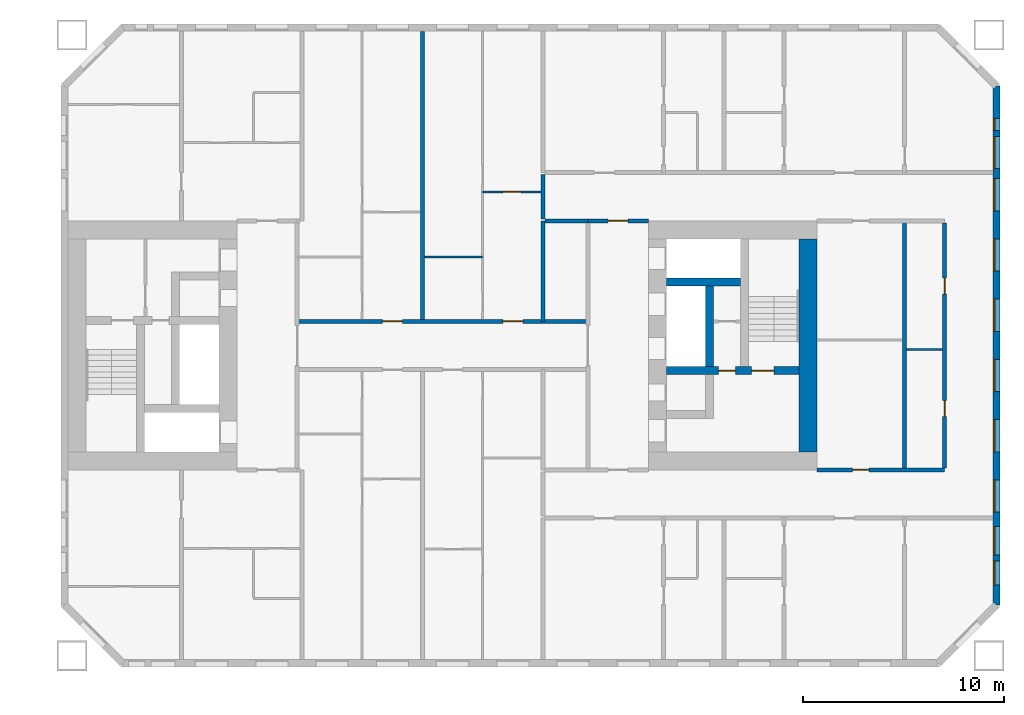
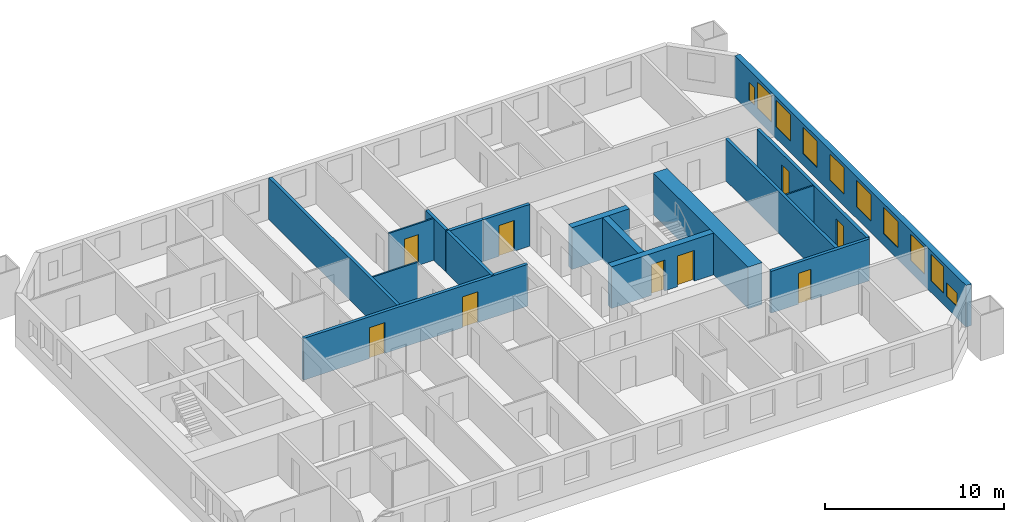
# One storey, part 12 of 16: 17 walls, 10 windows, 9 doors, 19 openings.
"""IFC4 building model written with IfcOpenShell, lengths in metres."""

from ifc_helpers import new_model, si_unit, direction, frame, frame_2d, origin, place, context, subcontext, project, spatial, rectangle, extrude, material, layer, layer_set, type_object, element, fill, save


model = new_model("IFC4")

# Units and contexts
model_context = context("Model", 3, precision=1e-05, world=origin(), true_north=direction((0.0, 1.0)))
body_context = subcontext(model_context, "Body", "Model", "MODEL_VIEW")
ifc_project = project(units=[si_unit("LENGTHUNIT", "METRE"), si_unit("AREAUNIT", "SQUARE_METRE"), si_unit("VOLUMEUNIT", "CUBIC_METRE"), si_unit("PLANEANGLEUNIT", "RADIAN"), si_unit("MASSUNIT", "GRAM", prefix="KILO")], contexts=[model_context])

# Site, building, storey
site_placement = place(None, origin())
site = spatial("IfcSite", under=ifc_project, at=site_placement, CompositionType="ELEMENT")
building_placement = place(site_placement, origin())
building = spatial("IfcBuilding", under=site, at=building_placement, Name="Tuart Gate Housing", CompositionType="ELEMENT")
storey_placement = place(building_placement, frame((0.0, 0.0, 19.5)))
storey = spatial("IfcBuildingStorey", under=building, at=storey_placement, Name="L04", CompositionType="ELEMENT", Elevation=19.5)

# Wall, openings, windows
ifc_material_1 = material(Name="Brick", Category="masonry")
ifc_layer_1 = layer(ifc_material_1, 0.360107421875)
ifc_layer_set_1 = layer_set([ifc_layer_1], Name="Brick pier and spandrel wall 360")
wall_type_1 = type_object("IfcWallType", Name="Brick pier and spandrel wall 360", PredefinedType="STANDARD", material=ifc_layer_set_1)
wall_1_placement = place(storey_placement, frame((177.570068359375, 57.07470703125, 0.0), z_axis=(0.0, 0.0, 1.0), x_axis=(0.0, 1.0, 0.0)))
wall_1 = element("IfcWall", 1, at=wall_1_placement, inside=storey, type_object=wall_type_1, Name="External wall B-E L04", PredefinedType="STANDARD", context=body_context, shape_type="SweptSolid", body=[
    extrude(rectangle(XDim=25.850830078125, YDim=0.360107421875, at=frame_2d((12.92529296875, 0.0))), origin(), (0.0, 0.0, 1.0), 2.85009765625),
])
opening_1_placement = place(wall_1_placement, frame((1.0, 0.0, 0.800048828125)))
opening_1 = element("IfcOpeningElement", 2, at=opening_1_placement, cuts=wall_1, Name="Opening W1T", PredefinedType="OPENING", context=body_context, shape_type="SweptSolid", body=[
    extrude(rectangle(XDim=1.199951171875, YDim=0.89990234375, at=frame_2d((0.60009765625, 0.449951171875))), frame((0.0, 0.18994140625, 0.0), z_axis=(0.0, -1.0, 0.0), x_axis=(1.0, 0.0, 0.0)), (0.0, 0.0, 1.0), 0.380126953125),
])
opening_2_placement = place(wall_1_placement, frame((4.62548828125, 0.0, 0.800048828125)))
opening_2 = element("IfcOpeningElement", 3, at=opening_2_placement, cuts=wall_1, Name="Opening W1", PredefinedType="OPENING", context=body_context, shape_type="SweptSolid", body=[
    extrude(rectangle(XDim=1.60009765625, YDim=1.800048828125, at=frame_2d((0.800048828125, 0.89990234375))), frame((0.0, 0.18994140625, 0.0), z_axis=(0.0, -1.0, 0.0), x_axis=(1.0, 0.0, 0.0)), (0.0, 0.0, 1.0), 0.380126953125),
])
opening_3_placement = place(wall_1_placement, frame((7.62548828125, 0.0, 0.800048828125)))
opening_3 = element("IfcOpeningElement", 4, at=opening_3_placement, cuts=wall_1, Name="Opening W1", PredefinedType="OPENING", context=body_context, shape_type="SweptSolid", body=[
    extrude(rectangle(XDim=1.60009765625, YDim=1.800048828125, at=frame_2d((0.800048828125, 0.89990234375))), frame((0.0, 0.18994140625, 0.0), z_axis=(0.0, -1.0, 0.0), x_axis=(1.0, 0.0, 0.0)), (0.0, 0.0, 1.0), 0.380126953125),
])
opening_4_placement = place(wall_1_placement, frame((10.62548828125, 0.0, 0.800048828125)))
opening_4 = element("IfcOpeningElement", 5, at=opening_4_placement, cuts=wall_1, Name="Opening W1", PredefinedType="OPENING", context=body_context, shape_type="SweptSolid", body=[
    extrude(rectangle(XDim=1.60009765625, YDim=1.800048828125, at=frame_2d((0.800048828125, 0.89990234375))), frame((0.0, 0.18994140625, 0.0), z_axis=(0.0, -1.0, 0.0), x_axis=(1.0, 0.0, 0.0)), (0.0, 0.0, 1.0), 0.380126953125),
])
opening_5_placement = place(wall_1_placement, frame((13.62548828125, 0.0, 0.800048828125)))
opening_5 = element("IfcOpeningElement", 6, at=opening_5_placement, cuts=wall_1, Name="Opening W1", PredefinedType="OPENING", context=body_context, shape_type="SweptSolid", body=[
    extrude(rectangle(XDim=1.60009765625, YDim=1.800048828125, at=frame_2d((0.800048828125, 0.89990234375))), frame((0.0, 0.18994140625, 0.0), z_axis=(0.0, -1.0, 0.0), x_axis=(1.0, 0.0, 0.0)), (0.0, 0.0, 1.0), 0.380126953125),
])
opening_6_placement = place(wall_1_placement, frame((16.62548828125, 0.0, 0.800048828125)))
opening_6 = element("IfcOpeningElement", 7, at=opening_6_placement, cuts=wall_1, Name="Opening W1", PredefinedType="OPENING", context=body_context, shape_type="SweptSolid", body=[
    extrude(rectangle(XDim=1.60009765625, YDim=1.800048828125, at=frame_2d((0.800048828125, 0.89990234375))), frame((0.0, 0.18994140625, 0.0), z_axis=(0.0, -1.0, 0.0), x_axis=(1.0, 0.0, 0.0)), (0.0, 0.0, 1.0), 0.380126953125),
])
opening_7_placement = place(wall_1_placement, frame((19.62548828125, 0.0, 0.800048828125)))
opening_7 = element("IfcOpeningElement", 8, at=opening_7_placement, cuts=wall_1, Name="Opening W1", PredefinedType="OPENING", context=body_context, shape_type="SweptSolid", body=[
    extrude(rectangle(XDim=1.60009765625, YDim=1.800048828125, at=frame_2d((0.800048828125, 0.89990234375))), frame((0.0, 0.18994140625, 0.0), z_axis=(0.0, -1.0, 0.0), x_axis=(1.0, 0.0, 0.0)), (0.0, 0.0, 1.0), 0.380126953125),
])
opening_8_placement = place(wall_1_placement, frame((21.725341796875, 0.0, 0.800048828125)))
opening_8 = element("IfcOpeningElement", 9, at=opening_8_placement, cuts=wall_1, Name="Opening W1", PredefinedType="OPENING", context=body_context, shape_type="SweptSolid", body=[
    extrude(rectangle(XDim=1.60009765625, YDim=1.800048828125, at=frame_2d((0.800048828125, 0.89990234375))), frame((0.0, 0.18994140625, 0.0), z_axis=(0.0, -1.0, 0.0), x_axis=(1.0, 0.0, 0.0)), (0.0, 0.0, 1.0), 0.380126953125),
])
opening_9_placement = place(wall_1_placement, frame((2.5, 0.0, 0.800048828125)))
opening_9 = element("IfcOpeningElement", 10, at=opening_9_placement, cuts=wall_1, Name="Opening W1A", PredefinedType="OPENING", context=body_context, shape_type="SweptSolid", body=[
    extrude(rectangle(XDim=1.39990234375, YDim=1.800048828125, at=frame_2d((0.699951171875, 0.89990234375))), frame((0.0, 0.18994140625, 0.0), z_axis=(0.0, -1.0, 0.0), x_axis=(1.0, 0.0, 0.0)), (0.0, 0.0, 1.0), 0.380126953125),
])
opening_10_placement = place(wall_1_placement, frame((23.62548828125, 0.0, 0.800048828125)))
opening_10 = element("IfcOpeningElement", 11, at=opening_10_placement, cuts=wall_1, Name="Opening W1Q", PredefinedType="OPENING", context=body_context, shape_type="SweptSolid", body=[
    extrude(rectangle(XDim=0.60009765625, YDim=1.199951171875, at=frame_2d((0.300048828125, 0.60009765625))), frame((0.0, 0.18994140625, 0.0), z_axis=(0.0, -1.0, 0.0), x_axis=(1.0, 0.0, 0.0)), (0.0, 0.0, 1.0), 0.380126953125),
])
ifc_material_2 = material(Name="Aluminium frame with clear glass", Category="aluminium")
window_type_1 = type_object("IfcWindowType", Name="Punched window 1200 x 900", PartitioningType="SINGLE_PANEL", PredefinedType="WINDOW", material=ifc_material_2)
window_1_placement = place(opening_1_placement, origin())
window_1 = element("IfcWindow", 12, at=window_1_placement, inside=storey, type_object=window_type_1, Name="Window W1T", OverallHeight=0.89990234375, OverallWidth=1.199951171875, PartitioningType="SINGLE_PANEL", PredefinedType="WINDOW", context=body_context, shape_type="SweptSolid", body=[
    extrude(rectangle(XDim=1.199951171875, YDim=0.89990234375, at=frame_2d((0.60009765625, 0.449951171875))), frame((0.0, 0.150146484375, 0.0), z_axis=(0.0, -1.0, 0.0), x_axis=(1.0, 0.0, 0.0)), (0.0, 0.0, 1.0), 0.06005859375),
])
fill(opening_1, window_1)
ifc_material_3 = material(Name="Aluminium frame with clear glass", Category="aluminium")
window_type_2 = type_object("IfcWindowType", Name="Punched window 1400 x 1800", PartitioningType="SINGLE_PANEL", PredefinedType="WINDOW", material=ifc_material_3)
window_2_placement = place(opening_9_placement, origin())
window_2 = element("IfcWindow", 13, at=window_2_placement, inside=storey, type_object=window_type_2, Name="Window W1A", OverallHeight=1.800048828125, OverallWidth=1.39990234375, PartitioningType="SINGLE_PANEL", PredefinedType="WINDOW", context=body_context, shape_type="SweptSolid", body=[
    extrude(rectangle(XDim=1.39990234375, YDim=1.800048828125, at=frame_2d((0.699951171875, 0.89990234375))), frame((0.0, 0.150146484375, 0.0), z_axis=(0.0, -1.0, 0.0), x_axis=(1.0, 0.0, 0.0)), (0.0, 0.0, 1.0), 0.06005859375),
])
fill(opening_9, window_2)
ifc_material_4 = material(Name="Aluminium frame with clear glass", Category="aluminium")
window_type_3 = type_object("IfcWindowType", Name="Punched window 1600 x 1800", PartitioningType="SINGLE_PANEL", PredefinedType="WINDOW", material=ifc_material_4)
window_3_placement = place(opening_2_placement, origin())
window_3 = element("IfcWindow", 14, at=window_3_placement, inside=storey, type_object=window_type_3, Name="Window W1", OverallHeight=1.800048828125, OverallWidth=1.60009765625, PartitioningType="SINGLE_PANEL", PredefinedType="WINDOW", context=body_context, shape_type="SweptSolid", body=[
    extrude(rectangle(XDim=1.60009765625, YDim=1.800048828125, at=frame_2d((0.800048828125, 0.89990234375))), frame((0.0, 0.150146484375, 0.0), z_axis=(0.0, -1.0, 0.0), x_axis=(1.0, 0.0, 0.0)), (0.0, 0.0, 1.0), 0.06005859375),
])
fill(opening_2, window_3)
window_4_placement = place(opening_3_placement, origin())
window_4 = element("IfcWindow", 15, at=window_4_placement, inside=storey, type_object=window_type_3, Name="Window W1", OverallHeight=1.800048828125, OverallWidth=1.60009765625, PartitioningType="SINGLE_PANEL", PredefinedType="WINDOW", context=body_context, shape_type="SweptSolid", body=[
    extrude(rectangle(XDim=1.60009765625, YDim=1.800048828125, at=frame_2d((0.800048828125, 0.89990234375))), frame((0.0, 0.150146484375, 0.0), z_axis=(0.0, -1.0, 0.0), x_axis=(1.0, 0.0, 0.0)), (0.0, 0.0, 1.0), 0.06005859375),
])
fill(opening_3, window_4)
window_5_placement = place(opening_4_placement, origin())
window_5 = element("IfcWindow", 16, at=window_5_placement, inside=storey, type_object=window_type_3, Name="Window W1", OverallHeight=1.800048828125, OverallWidth=1.60009765625, PartitioningType="SINGLE_PANEL", PredefinedType="WINDOW", context=body_context, shape_type="SweptSolid", body=[
    extrude(rectangle(XDim=1.60009765625, YDim=1.800048828125, at=frame_2d((0.800048828125, 0.89990234375))), frame((0.0, 0.150146484375, 0.0), z_axis=(0.0, -1.0, 0.0), x_axis=(1.0, 0.0, 0.0)), (0.0, 0.0, 1.0), 0.06005859375),
])
fill(opening_4, window_5)
window_6_placement = place(opening_5_placement, origin())
window_6 = element("IfcWindow", 17, at=window_6_placement, inside=storey, type_object=window_type_3, Name="Window W1", OverallHeight=1.800048828125, OverallWidth=1.60009765625, PartitioningType="SINGLE_PANEL", PredefinedType="WINDOW", context=body_context, shape_type="SweptSolid", body=[
    extrude(rectangle(XDim=1.60009765625, YDim=1.800048828125, at=frame_2d((0.800048828125, 0.89990234375))), frame((0.0, 0.150146484375, 0.0), z_axis=(0.0, -1.0, 0.0), x_axis=(1.0, 0.0, 0.0)), (0.0, 0.0, 1.0), 0.06005859375),
])
fill(opening_5, window_6)
window_7_placement = place(opening_6_placement, origin())
window_7 = element("IfcWindow", 18, at=window_7_placement, inside=storey, type_object=window_type_3, Name="Window W1", OverallHeight=1.800048828125, OverallWidth=1.60009765625, PartitioningType="SINGLE_PANEL", PredefinedType="WINDOW", context=body_context, shape_type="SweptSolid", body=[
    extrude(rectangle(XDim=1.60009765625, YDim=1.800048828125, at=frame_2d((0.800048828125, 0.89990234375))), frame((0.0, 0.150146484375, 0.0), z_axis=(0.0, -1.0, 0.0), x_axis=(1.0, 0.0, 0.0)), (0.0, 0.0, 1.0), 0.06005859375),
])
fill(opening_6, window_7)
window_8_placement = place(opening_7_placement, origin())
window_8 = element("IfcWindow", 19, at=window_8_placement, inside=storey, type_object=window_type_3, Name="Window W1", OverallHeight=1.800048828125, OverallWidth=1.60009765625, PartitioningType="SINGLE_PANEL", PredefinedType="WINDOW", context=body_context, shape_type="SweptSolid", body=[
    extrude(rectangle(XDim=1.60009765625, YDim=1.800048828125, at=frame_2d((0.800048828125, 0.89990234375))), frame((0.0, 0.150146484375, 0.0), z_axis=(0.0, -1.0, 0.0), x_axis=(1.0, 0.0, 0.0)), (0.0, 0.0, 1.0), 0.06005859375),
])
fill(opening_7, window_8)
window_9_placement = place(opening_8_placement, origin())
window_9 = element("IfcWindow", 20, at=window_9_placement, inside=storey, type_object=window_type_3, Name="Window W1", OverallHeight=1.800048828125, OverallWidth=1.60009765625, PartitioningType="SINGLE_PANEL", PredefinedType="WINDOW", context=body_context, shape_type="SweptSolid", body=[
    extrude(rectangle(XDim=1.60009765625, YDim=1.800048828125, at=frame_2d((0.800048828125, 0.89990234375))), frame((0.0, 0.150146484375, 0.0), z_axis=(0.0, -1.0, 0.0), x_axis=(1.0, 0.0, 0.0)), (0.0, 0.0, 1.0), 0.06005859375),
])
fill(opening_8, window_9)
ifc_material_5 = material(Name="Aluminium frame with clear glass", Category="aluminium")
window_type_4 = type_object("IfcWindowType", Name="Punched window 600 x 1200", PartitioningType="SINGLE_PANEL", PredefinedType="WINDOW", material=ifc_material_5)
window_10_placement = place(opening_10_placement, origin())
window_10 = element("IfcWindow", 21, at=window_10_placement, inside=storey, type_object=window_type_4, Name="Window W1Q", OverallHeight=1.199951171875, OverallWidth=0.60009765625, PartitioningType="SINGLE_PANEL", PredefinedType="WINDOW", context=body_context, shape_type="SweptSolid", body=[
    extrude(rectangle(XDim=0.60009765625, YDim=1.199951171875, at=frame_2d((0.300048828125, 0.60009765625))), frame((0.0, 0.150146484375, 0.0), z_axis=(0.0, -1.0, 0.0), x_axis=(1.0, 0.0, 0.0)), (0.0, 0.0, 1.0), 0.06005859375),
])
fill(opening_10, window_10)

# Wall
ifc_material_6 = material(Name="Concrete C60", Category="concrete")
ifc_layer_2 = layer(ifc_material_6, 0.39990234375)
ifc_layer_set_2 = layer_set([ifc_layer_2], Name="Core wall 400 C60")
wall_type_2 = type_object("IfcWallType", Name="Core wall 400 C60", PredefinedType="SHEAR", material=ifc_layer_set_2)
wall_2_placement = place(storey_placement, frame((161.139892578125, 73.14990234375, 0.0), z_axis=(0.0, 0.0, 1.0), x_axis=(1.0, 0.0, 0.0)))
element("IfcWall", 22, at=wall_2_placement, inside=storey, type_object=wall_type_2, Name="Core wall BK.1", PredefinedType="SHEAR", context=body_context, shape_type="SweptSolid", body=[
    extrude(rectangle(XDim=3.7001953125, YDim=0.39990234375, at=frame_2d((1.85009765625, 0.0))), origin(), (0.0, 0.0, 1.0), 2.85009765625),
])

# Wall, openings, doors
wall_3_placement = place(storey_placement, frame((161.139892578125, 68.75, 0.0), z_axis=(0.0, 0.0, 1.0), x_axis=(1.0, 0.0, 0.0)))
wall_3 = element("IfcWall", 23, at=wall_3_placement, inside=storey, type_object=wall_type_2, Name="Core wall BK.3", PredefinedType="SHEAR", context=body_context, shape_type="SweptSolid", body=[
    extrude(rectangle(XDim=6.60009765625, YDim=0.39990234375, at=frame_2d((3.300048828125, 0.0))), origin(), (0.0, 0.0, 1.0), 2.85009765625),
])
opening_11_placement = place(wall_3_placement, frame((4.25, 0.0, 0.0)))
opening_11 = element("IfcOpeningElement", 24, at=opening_11_placement, cuts=wall_3, Name="Opening D446", PredefinedType="OPENING", context=body_context, shape_type="SweptSolid", body=[
    extrude(rectangle(XDim=1.10009765625, YDim=2.10009765625, at=frame_2d((0.550048828125, 1.050048828125))), frame((0.0, 0.2099609375, 0.0), z_axis=(0.0, -1.0, 0.0), x_axis=(1.0, 0.0, 0.0)), (0.0, 0.0, 1.0), 0.419921875),
])
opening_12_placement = place(wall_3_placement, frame((2.60009765625, 0.0, 0.0)))
opening_12 = element("IfcOpeningElement", 25, at=opening_12_placement, cuts=wall_3, Name="Opening D445", PredefinedType="OPENING", context=body_context, shape_type="SweptSolid", body=[
    extrude(rectangle(XDim=0.85009765625, YDim=2.10009765625, at=frame_2d((0.425048828125, 1.050048828125))), frame((0.0, 0.2099609375, 0.0), z_axis=(0.0, -1.0, 0.0), x_axis=(1.0, 0.0, 0.0)), (0.0, 0.0, 1.0), 0.419921875),
])
ifc_material_7 = material(Name="Steel fire door", Category="steel")
door_type_1 = type_object("IfcDoorType", Name="Riser door 850 x 2100", OperationType="SINGLE_SWING_LEFT", PredefinedType="DOOR", material=ifc_material_7)
door_1_placement = place(opening_12_placement, origin())
door_1 = element("IfcDoor", 26, at=door_1_placement, inside=storey, type_object=door_type_1, Name="Service room door BK.W1", OperationType="SINGLE_SWING_LEFT", OverallHeight=2.10009765625, OverallWidth=0.85009765625, PredefinedType="DOOR", context=body_context, shape_type="SweptSolid", body=[
    extrude(rectangle(XDim=0.85009765625, YDim=2.10009765625, at=frame_2d((0.425048828125, 1.050048828125))), frame((0.0, 0.02490234375, 0.0), z_axis=(0.0, -1.0, 0.0), x_axis=(1.0, 0.0, 0.0)), (0.0, 0.0, 1.0), 0.050048828125),
])
fill(opening_12, door_1)
ifc_material_8 = material(Name="Steel fire door", Category="steel")
door_type_2 = type_object("IfcDoorType", Name="Stair door 1100 x 2100", OperationType="SINGLE_SWING_LEFT", PredefinedType="DOOR", material=ifc_material_8)
door_2_placement = place(opening_11_placement, origin())
door_2 = element("IfcDoor", 27, at=door_2_placement, inside=storey, type_object=door_type_2, Name="Stair door BK.SD", OperationType="SINGLE_SWING_LEFT", OverallHeight=2.10009765625, OverallWidth=1.10009765625, PredefinedType="DOOR", context=body_context, shape_type="SweptSolid", body=[
    extrude(rectangle(XDim=1.10009765625, YDim=2.10009765625, at=frame_2d((0.550048828125, 1.050048828125))), frame((0.0, 0.02490234375, 0.0), z_axis=(0.0, -1.0, 0.0), x_axis=(1.0, 0.0, 0.0)), (0.0, 0.0, 1.0), 0.050048828125),
])
fill(opening_11, door_2)

# Walls
wall_4_placement = place(storey_placement, frame((163.2900390625, 72.949951171875, 0.0), z_axis=(0.0, 0.0, 1.0), x_axis=(0.0, -1.0, 0.0)))
element("IfcWall", 28, at=wall_4_placement, inside=storey, type_object=wall_type_2, Name="Core wall BK.5", PredefinedType="SHEAR", context=body_context, shape_type="SweptSolid", body=[
    extrude(rectangle(XDim=4.0, YDim=0.39990234375, at=frame_2d((2.0, 0.0))), origin(), (0.0, 0.0, 1.0), 2.85009765625),
])
ifc_material_9 = material(Name="Concrete C60", Category="concrete")
ifc_layer_3 = layer(ifc_material_9, 0.89990234375)
ifc_layer_set_3 = layer_set([ifc_layer_3], Name="Core wall 900 C60")
wall_type_3 = type_object("IfcWallType", Name="Core wall 900 C60", PredefinedType="SHEAR", material=ifc_layer_set_3)
wall_5_placement = place(storey_placement, frame((168.18994140625, 75.300048828125, 0.0), z_axis=(0.0, 0.0, 1.0), x_axis=(0.0, -1.0, 0.0)))
element("IfcWall", 29, at=wall_5_placement, inside=storey, type_object=wall_type_3, Name="Core wall BK back", PredefinedType="SHEAR", context=body_context, shape_type="SweptSolid", body=[
    extrude(rectangle(XDim=10.60009765625, YDim=0.89990234375, at=frame_2d((5.300048828125, 0.0))), origin(), (0.0, 0.0, 1.0), 2.85009765625),
])

# Wall, opening, door
ifc_material_10 = material(Name="Concrete masonry 15 MPa", Category="masonry")
ifc_layer_4 = layer(ifc_material_10, 0.199951171875)
ifc_layer_set_4 = layer_set([ifc_layer_4], Name="Corridor wall masonry 200")
wall_type_4 = type_object("IfcWallType", Name="Corridor wall masonry 200", PredefinedType="PARTITIONING", material=ifc_layer_set_4)
wall_6_placement = place(storey_placement, frame((168.639892578125, 63.800048828125, 0.0), z_axis=(0.0, 0.0, 1.0), x_axis=(1.0, 0.0, 0.0)))
wall_6 = element("IfcWall", 30, at=wall_6_placement, inside=storey, type_object=wall_type_4, Name="Corridor wall masonry 200", PredefinedType="PARTITIONING", context=body_context, shape_type="SweptSolid", body=[
    extrude(rectangle(XDim=6.35009765625, YDim=0.199951171875, at=frame_2d((3.175048828125, 0.0))), origin(), (0.0, 0.0, 1.0), 2.85009765625),
])
opening_13_placement = place(wall_6_placement, frame((1.780029296875, 0.0, 0.0)))
opening_13 = element("IfcOpeningElement", 31, at=opening_13_placement, cuts=wall_6, Name="Opening D449", PredefinedType="OPENING", context=body_context, shape_type="SweptSolid", body=[
    extrude(rectangle(XDim=0.800048828125, YDim=2.10009765625, at=frame_2d((0.39990234375, 1.050048828125))), frame((0.0, 0.10986328125, 0.0), z_axis=(0.0, -1.0, 0.0), x_axis=(1.0, 0.0, 0.0)), (0.0, 0.0, 1.0), 0.219970703125),
])
ifc_material_11 = material(Name="Timber door leaf in steel frame", Category="steel")
door_type_3 = type_object("IfcDoorType", Name="Store door 800", OperationType="SINGLE_SWING_LEFT", PredefinedType="DOOR", material=ifc_material_11)
door_3_placement = place(opening_13_placement, origin())
door_3 = element("IfcDoor", 32, at=door_3_placement, inside=storey, type_object=door_type_3, Name="Store door", OperationType="SINGLE_SWING_LEFT", OverallHeight=2.10009765625, OverallWidth=0.800048828125, PredefinedType="DOOR", context=body_context, shape_type="SweptSolid", body=[
    extrude(rectangle(XDim=0.800048828125, YDim=2.10009765625, at=frame_2d((0.39990234375, 1.050048828125))), frame((0.0, 0.02490234375, 0.0), z_axis=(0.0, -1.0, 0.0), x_axis=(1.0, 0.0, 0.0)), (0.0, 0.0, 1.0), 0.050048828125),
])
fill(opening_13, door_3)

# Wall, openings, doors
wall_7_placement = place(storey_placement, frame((142.760009765625, 71.199951171875, 0.0), z_axis=(0.0, 0.0, 1.0), x_axis=(1.0, 0.0, 0.0)))
wall_7 = element("IfcWall", 33, at=wall_7_placement, inside=storey, type_object=wall_type_4, Name="Corridor wall masonry 200", PredefinedType="PARTITIONING", context=body_context, shape_type="SweptSolid", body=[
    extrude(rectangle(XDim=14.47998046875, YDim=0.199951171875, at=frame_2d((7.239990234375, 0.0))), origin(), (0.0, 0.0, 1.0), 2.85009765625),
])
opening_14_placement = place(wall_7_placement, frame((4.239990234375, 0.0, 0.0)))
opening_14 = element("IfcOpeningElement", 34, at=opening_14_placement, cuts=wall_7, Name="Opening D432", PredefinedType="OPENING", context=body_context, shape_type="SweptSolid", body=[
    extrude(rectangle(XDim=1.0, YDim=2.10009765625, at=frame_2d((0.5, 1.050048828125))), frame((0.0, 0.10986328125, 0.0), z_axis=(0.0, -1.0, 0.0), x_axis=(1.0, 0.0, 0.0)), (0.0, 0.0, 1.0), 0.219970703125),
])
opening_15_placement = place(wall_7_placement, frame((10.239990234375, 0.0, 0.0)))
opening_15 = element("IfcOpeningElement", 35, at=opening_15_placement, cuts=wall_7, Name="Opening D433", PredefinedType="OPENING", context=body_context, shape_type="SweptSolid", body=[
    extrude(rectangle(XDim=1.0, YDim=2.10009765625, at=frame_2d((0.5, 1.050048828125))), frame((0.0, 0.10986328125, 0.0), z_axis=(0.0, -1.0, 0.0), x_axis=(1.0, 0.0, 0.0)), (0.0, 0.0, 1.0), 0.219970703125),
])
ifc_material_12 = material(Name="Timber door leaf in steel frame", Category="steel")
door_type_4 = type_object("IfcDoorType", Name="Flat entrance door 1000", OperationType="SINGLE_SWING_LEFT", PredefinedType="DOOR", material=ifc_material_12)
door_4_placement = place(opening_14_placement, origin())
door_4 = element("IfcDoor", 36, at=door_4_placement, inside=storey, type_object=door_type_4, Name="Flat entrance door", OperationType="SINGLE_SWING_LEFT", OverallHeight=2.10009765625, OverallWidth=1.0, PredefinedType="DOOR", context=body_context, shape_type="SweptSolid", body=[
    extrude(rectangle(XDim=1.0, YDim=2.10009765625, at=frame_2d((0.5, 1.050048828125))), frame((0.0, 0.02490234375, 0.0), z_axis=(0.0, -1.0, 0.0), x_axis=(1.0, 0.0, 0.0)), (0.0, 0.0, 1.0), 0.050048828125),
])
fill(opening_14, door_4)
door_5_placement = place(opening_15_placement, origin())
door_5 = element("IfcDoor", 37, at=door_5_placement, inside=storey, type_object=door_type_4, Name="Flat entrance door", OperationType="SINGLE_SWING_LEFT", OverallHeight=2.10009765625, OverallWidth=1.0, PredefinedType="DOOR", context=body_context, shape_type="SweptSolid", body=[
    extrude(rectangle(XDim=1.0, YDim=2.10009765625, at=frame_2d((0.5, 1.050048828125))), frame((0.0, 0.02490234375, 0.0), z_axis=(0.0, -1.0, 0.0), x_axis=(1.0, 0.0, 0.0)), (0.0, 0.0, 1.0), 0.050048828125),
])
fill(opening_15, door_5)

# Walls
wall_8_placement = place(storey_placement, frame((155.10009765625, 76.199951171875, 0.0), z_axis=(0.0, 0.0, 1.0), x_axis=(1.0, 0.0, 0.0)))
element("IfcWall", 38, at=wall_8_placement, inside=storey, type_object=wall_type_4, Name="Corridor wall masonry 200", PredefinedType="PARTITIONING", context=body_context, shape_type="SweptSolid", body=[
    extrude(rectangle(XDim=2.139892578125, YDim=0.199951171875, at=frame_2d((1.06982421875, 0.0))), origin(), (0.0, 0.0, 1.0), 2.85009765625),
])
wall_9_placement = place(storey_placement, frame((155.0, 76.300048828125, 0.0), z_axis=(0.0, 0.0, 1.0), x_axis=(0.0, 1.0, 0.0)))
element("IfcWall", 39, at=wall_9_placement, inside=storey, type_object=wall_type_4, Name="Corridor wall masonry 200", PredefinedType="PARTITIONING", context=body_context, shape_type="SweptSolid", body=[
    extrude(rectangle(XDim=2.199951171875, YDim=0.199951171875, at=frame_2d((1.10009765625, 0.0))), origin(), (0.0, 0.0, 1.0), 2.85009765625),
])

# Wall, openings, doors
wall_10_placement = place(storey_placement, frame((174.989990234375, 63.89990234375, 0.0), z_axis=(0.0, 0.0, 1.0), x_axis=(0.0, 1.0, 0.0)))
wall_10 = element("IfcWall", 40, at=wall_10_placement, inside=storey, type_object=wall_type_4, Name="Corridor wall masonry 200", PredefinedType="PARTITIONING", context=body_context, shape_type="SweptSolid", body=[
    extrude(rectangle(XDim=12.2001953125, YDim=0.199951171875, at=frame_2d((6.10009765625, 0.0))), origin(), (0.0, 0.0, 1.0), 2.85009765625),
])
opening_16_placement = place(wall_10_placement, frame((2.550048828125, 0.0, 0.0)))
opening_16 = element("IfcOpeningElement", 41, at=opening_16_placement, cuts=wall_10, Name="Opening D441", PredefinedType="OPENING", context=body_context, shape_type="SweptSolid", body=[
    extrude(rectangle(XDim=0.800048828125, YDim=2.10009765625, at=frame_2d((0.39990234375, 1.050048828125))), frame((0.0, 0.10986328125, 0.0), z_axis=(0.0, -1.0, 0.0), x_axis=(1.0, 0.0, 0.0)), (0.0, 0.0, 1.0), 0.219970703125),
])
opening_17_placement = place(wall_10_placement, frame((8.64990234375, 0.0, 0.0)))
opening_17 = element("IfcOpeningElement", 42, at=opening_17_placement, cuts=wall_10, Name="Opening D442", PredefinedType="OPENING", context=body_context, shape_type="SweptSolid", body=[
    extrude(rectangle(XDim=0.800048828125, YDim=2.10009765625, at=frame_2d((0.39990234375, 1.050048828125))), frame((0.0, 0.10986328125, 0.0), z_axis=(0.0, -1.0, 0.0), x_axis=(1.0, 0.0, 0.0)), (0.0, 0.0, 1.0), 0.219970703125),
])
door_6_placement = place(opening_17_placement, origin())
door_6 = element("IfcDoor", 43, at=door_6_placement, inside=storey, type_object=door_type_3, Name="Store door", OperationType="SINGLE_SWING_LEFT", OverallHeight=2.10009765625, OverallWidth=0.800048828125, PredefinedType="DOOR", context=body_context, shape_type="SweptSolid", body=[
    extrude(rectangle(XDim=0.800048828125, YDim=2.10009765625, at=frame_2d((0.39990234375, 1.050048828125))), frame((0.0, 0.02490234375, 0.0), z_axis=(0.0, -1.0, 0.0), x_axis=(1.0, 0.0, 0.0)), (0.0, 0.0, 1.0), 0.050048828125),
])
fill(opening_17, door_6)
ifc_material_13 = material(Name="Timber door leaf in steel frame", Category="steel")
door_type_5 = type_object("IfcDoorType", Name="Store door 800 RH", OperationType="SINGLE_SWING_RIGHT", PredefinedType="DOOR", material=ifc_material_13)
door_7_placement = place(opening_16_placement, origin())
door_7 = element("IfcDoor", 44, at=door_7_placement, inside=storey, type_object=door_type_5, Name="Store door", OperationType="SINGLE_SWING_RIGHT", OverallHeight=2.10009765625, OverallWidth=0.800048828125, PredefinedType="DOOR", context=body_context, shape_type="SweptSolid", body=[
    extrude(rectangle(XDim=0.800048828125, YDim=2.10009765625, at=frame_2d((0.39990234375, 1.050048828125))), frame((0.0, 0.02490234375, 0.0), z_axis=(0.0, -1.0, 0.0), x_axis=(1.0, 0.0, 0.0)), (0.0, 0.0, 1.0), 0.050048828125),
])
fill(opening_16, door_7)

# Wall, opening, door
ifc_material_14 = material(Name="Concrete masonry 15 MPa", Category="masonry")
ifc_layer_5 = layer(ifc_material_14, 0.199951171875)
ifc_layer_set_5 = layer_set([ifc_layer_5], Name="Enclosure wall masonry 200")
wall_type_5 = type_object("IfcWallType", Name="Enclosure wall masonry 200", PredefinedType="PARTITIONING", material=ifc_layer_set_5)
wall_11_placement = place(storey_placement, frame((157.239990234375, 76.199951171875, 0.0), z_axis=(0.0, 0.0, 1.0), x_axis=(1.0, 0.0, 0.0)))
wall_11 = element("IfcWall", 45, at=wall_11_placement, inside=storey, type_object=wall_type_5, Name="Enclosure wall masonry 200", PredefinedType="PARTITIONING", context=body_context, shape_type="SweptSolid", body=[
    extrude(rectangle(XDim=3.0, YDim=0.199951171875, at=frame_2d((1.5, 0.0))), origin(), (0.0, 0.0, 1.0), 2.85009765625),
])
opening_18_placement = place(wall_11_placement, frame((1.0, 0.0, 0.0)))
opening_18 = element("IfcOpeningElement", 46, at=opening_18_placement, cuts=wall_11, Name="Opening D427", PredefinedType="OPENING", context=body_context, shape_type="SweptSolid", body=[
    extrude(rectangle(XDim=1.0, YDim=2.10009765625, at=frame_2d((0.5, 1.050048828125))), frame((0.0, 0.10986328125, 0.0), z_axis=(0.0, -1.0, 0.0), x_axis=(1.0, 0.0, 0.0)), (0.0, 0.0, 1.0), 0.219970703125),
])
ifc_material_15 = material(Name="Timber door leaf in steel frame", Category="steel")
door_type_6 = type_object("IfcDoorType", Name="Fire door 1000", OperationType="SINGLE_SWING_LEFT", PredefinedType="DOOR", material=ifc_material_15)
door_8_placement = place(opening_18_placement, origin())
door_8 = element("IfcDoor", 47, at=door_8_placement, inside=storey, type_object=door_type_6, Name="Fire door", OperationType="SINGLE_SWING_LEFT", OverallHeight=2.10009765625, OverallWidth=1.0, PredefinedType="DOOR", context=body_context, shape_type="SweptSolid", body=[
    extrude(rectangle(XDim=1.0, YDim=2.10009765625, at=frame_2d((0.5, 1.050048828125))), frame((0.0, 0.02490234375, 0.0), z_axis=(0.0, -1.0, 0.0), x_axis=(1.0, 0.0, 0.0)), (0.0, 0.0, 1.0), 0.050048828125),
])
fill(opening_18, door_8)

# Walls
ifc_material_16 = material(Name="Gypsum board on steel studs", Category="steel")
ifc_layer_6 = layer(ifc_material_16, 0.10009765625)
ifc_layer_set_6 = layer_set([ifc_layer_6], Name="Partition 100")
wall_type_6 = type_object("IfcWallType", Name="Partition 100", PredefinedType="PARTITIONING", material=ifc_layer_set_6)
wall_12_placement = place(storey_placement, frame((173.10009765625, 69.800048828125, 0.0), z_axis=(0.0, 0.0, 1.0), x_axis=(1.0, 0.0, 0.0)))
element("IfcWall", 48, at=wall_12_placement, inside=storey, type_object=wall_type_6, Name="Partition 100", PredefinedType="PARTITIONING", context=body_context, shape_type="SweptSolid", body=[
    extrude(rectangle(XDim=1.789794921875, YDim=0.10009765625, at=frame_2d((0.89501953125, 0.0))), origin(), (0.0, 0.0, 1.0), 2.85009765625),
])
wall_13_placement = place(storey_placement, frame((149.10009765625, 74.39990234375, 0.0), z_axis=(0.0, 0.0, 1.0), x_axis=(1.0, 0.0, 0.0)))
element("IfcWall", 49, at=wall_13_placement, inside=storey, type_object=wall_type_6, Name="Partition 100", PredefinedType="PARTITIONING", context=body_context, shape_type="SweptSolid", body=[
    extrude(rectangle(XDim=2.89990234375, YDim=0.10009765625, at=frame_2d((1.449951171875, 0.0))), origin(), (0.0, 0.0, 1.0), 2.85009765625),
])

# Wall, opening, door
wall_14_placement = place(storey_placement, frame((152.0, 77.639892578125, 0.0), z_axis=(0.0, 0.0, 1.0), x_axis=(1.0, 0.0, 0.0)))
wall_14 = element("IfcWall", 50, at=wall_14_placement, inside=storey, type_object=wall_type_6, Name="Partition 100", PredefinedType="PARTITIONING", context=body_context, shape_type="SweptSolid", body=[
    extrude(rectangle(XDim=2.89990234375, YDim=0.10009765625, at=frame_2d((1.449951171875, 0.0))), origin(), (0.0, 0.0, 1.0), 2.85009765625),
])
opening_19_placement = place(wall_14_placement, frame((1.0, 0.0, 0.0)))
opening_19 = element("IfcOpeningElement", 51, at=opening_19_placement, cuts=wall_14, Name="Opening D424", PredefinedType="OPENING", context=body_context, shape_type="SweptSolid", body=[
    extrude(rectangle(XDim=0.89990234375, YDim=2.10009765625, at=frame_2d((0.449951171875, 1.050048828125))), frame((0.0, 0.06005859375, 0.0), z_axis=(0.0, -1.0, 0.0), x_axis=(1.0, 0.0, 0.0)), (0.0, 0.0, 1.0), 0.1201171875),
])
ifc_material_17 = material(Name="Timber door leaf in steel frame", Category="steel")
door_type_7 = type_object("IfcDoorType", Name="Internal door 900 RH", OperationType="SINGLE_SWING_RIGHT", PredefinedType="DOOR", material=ifc_material_17)
door_9_placement = place(opening_19_placement, frame((0.89990234375, 0.0, 0.0), z_axis=(0.0, 0.0, 1.0), x_axis=(-1.0, 0.0, 0.0)))
door_9 = element("IfcDoor", 52, at=door_9_placement, inside=storey, type_object=door_type_7, Name="Internal door", OperationType="SINGLE_SWING_RIGHT", OverallHeight=2.10009765625, OverallWidth=0.89990234375, PredefinedType="DOOR", context=body_context, shape_type="SweptSolid", body=[
    extrude(rectangle(XDim=0.89990234375, YDim=2.10009765625, at=frame_2d((0.449951171875, 1.050048828125))), frame((0.0, 0.025146484375, 0.0), z_axis=(0.0, -1.0, 0.0), x_axis=(1.0, 0.0, 0.0)), (0.0, 0.0, 1.0), 0.050048828125),
])
fill(opening_19, door_9)

# Walls
ifc_material_18 = material(Name="Concrete C40", Category="concrete")
ifc_layer_7 = layer(ifc_material_18, 0.199951171875)
ifc_layer_set_7 = layer_set([ifc_layer_7], Name="Party wall concrete C40 200")
wall_type_7 = type_object("IfcWallType", Name="Party wall concrete C40 200", PredefinedType="SOLIDWALL", material=ifc_layer_set_7)
wall_15_placement = place(storey_placement, frame((149.0, 71.199951171875, 0.0), z_axis=(0.0, 0.0, 1.0), x_axis=(0.0, 1.0, 0.0)))
element("IfcWall", 53, at=wall_15_placement, inside=storey, type_object=wall_type_7, Name="Party wall concrete C40 200", PredefinedType="SOLIDWALL", context=body_context, shape_type="SweptSolid", body=[
    extrude(rectangle(XDim=14.43994140625, YDim=0.199951171875, at=frame_2d((7.219970703125, 0.0))), origin(), (0.0, 0.0, 1.0), 2.85009765625),
])
wall_16_placement = place(storey_placement, frame((155.0, 71.199951171875, 0.0), z_axis=(0.0, 0.0, 1.0), x_axis=(0.0, 1.0, 0.0)))
element("IfcWall", 54, at=wall_16_placement, inside=storey, type_object=wall_type_7, Name="Party wall concrete C40 200", PredefinedType="SOLIDWALL", context=body_context, shape_type="SweptSolid", body=[
    extrude(rectangle(XDim=5.0, YDim=0.199951171875, at=frame_2d((2.5, 0.0))), origin(), (0.0, 0.0, 1.0), 2.85009765625),
])
wall_17_placement = place(storey_placement, frame((173.0, 63.800048828125, 0.0), z_axis=(0.0, 0.0, 1.0), x_axis=(0.0, 1.0, 0.0)))
element("IfcWall", 55, at=wall_17_placement, inside=storey, type_object=wall_type_7, Name="Party wall concrete C40 200", PredefinedType="SOLIDWALL", context=body_context, shape_type="SweptSolid", body=[
    extrude(rectangle(XDim=12.39990234375, YDim=0.199951171875, at=frame_2d((6.199951171875, 0.0))), origin(), (0.0, 0.0, 1.0), 2.85009765625),
])

save(model, "model.ifc")
